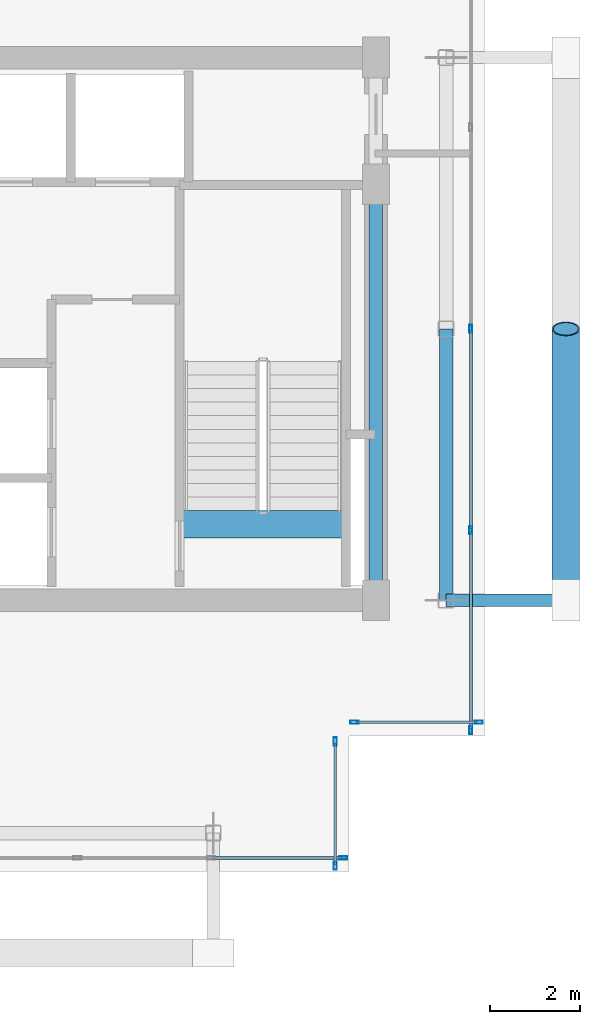
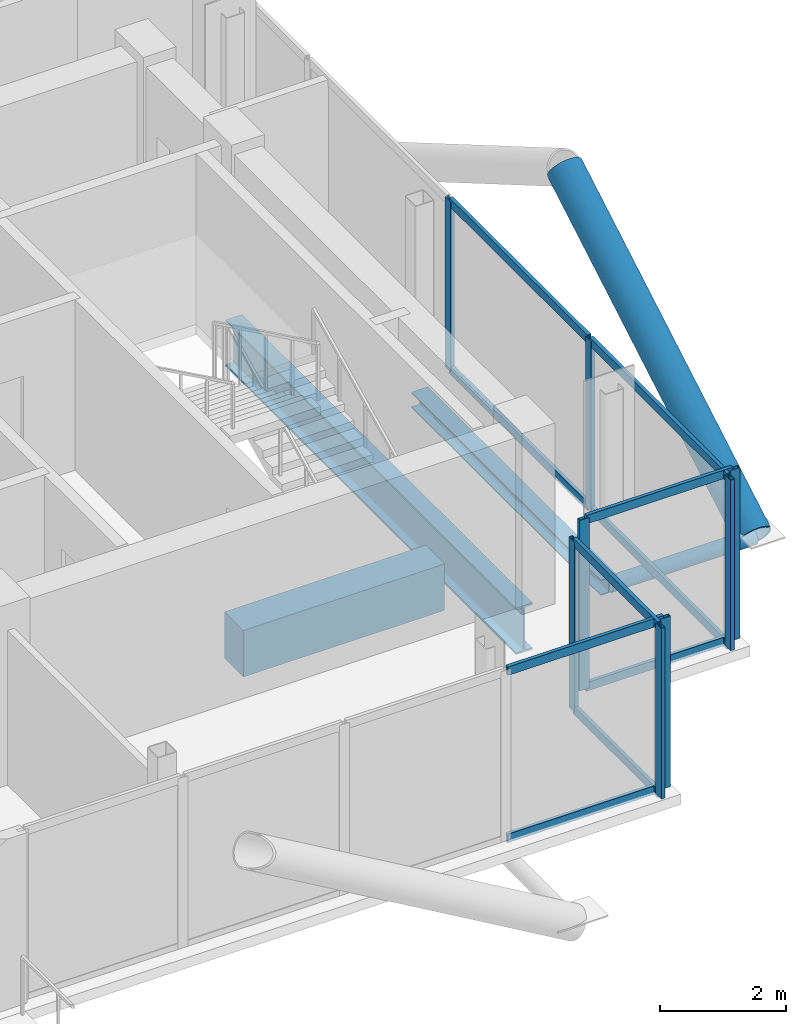
# One storey, part 11 of 18: 20 members, 3 beams, 4 elements without a shape of their own.
"""IFC4 building model written with IfcOpenShell, lengths in metres."""

from ifc_helpers import new_model, si_unit, direction, frame, origin, origin_2d, place, context, subcontext, project, spatial, rectangle, hollow_rectangle, hollow_circle, i_section, extrude, material, layer, layer_set, material_profile, profile_set, type_object, element, aggregate, save


model = new_model("IFC4")

# Units and contexts
model_context = context("Model", 3, precision=1e-05, world=origin(), true_north=direction((0.0, 1.0)))
body_context = subcontext(model_context, "Body", "Model", "MODEL_VIEW")
ifc_project = project(units=[si_unit("LENGTHUNIT", "METRE"), si_unit("AREAUNIT", "SQUARE_METRE"), si_unit("VOLUMEUNIT", "CUBIC_METRE"), si_unit("PLANEANGLEUNIT", "RADIAN"), si_unit("MASSUNIT", "GRAM", prefix="KILO"), si_unit("THERMODYNAMICTEMPERATUREUNIT", "KELVIN"), si_unit("POWERUNIT", "WATT")], contexts=[model_context])

# Site, building, storey
site_placement = place(None, origin())
site = spatial("IfcSite", under=ifc_project, at=site_placement, CompositionType="ELEMENT")
building_placement = place(site_placement, origin())
building = spatial("IfcBuilding", under=site, at=building_placement, Name="Svarakhadi Broadcast Tower", CompositionType="ELEMENT")
storey_placement = place(building_placement, frame((0.0, 0.0, 264.199951171875)))
storey = spatial("IfcBuildingStorey", under=building, at=storey_placement, Name="L66", CompositionType="ELEMENT", Elevation=264.199951171875)

# Curtain wall, members
ifc_material_1 = material(Name="Anodised Bronze Aluminium AA 6063-T6", Category="aluminium")
ifc_layer = layer(ifc_material_1, 0.179931640625)
ifc_layer_set = layer_set([ifc_layer], Name="Anodised Bronze Aluminium AA 6063-T6")
curtain_wall_type = type_object("IfcCurtainWallType", Name="CW_Sys_05", PredefinedType="NOTDEFINED", material=ifc_layer_set)
curtain_wall_1_placement = place(storey_placement, origin())
curtain_wall_1 = element("IfcCurtainWall", 1, at=curtain_wall_1_placement, inside=storey, type_object=curtain_wall_type, Name="L66 Unitised Facade Curtain Wall 13", PredefinedType="NOTDEFINED")
ifc_material_profile_1 = material_profile(ifc_material_1, hollow_rectangle(XDim=0.070068359375, YDim=0.179931640625, WallThickness=0.005615234375, at=origin_2d()), Name="ALU MULLION 180x70x6")
ifc_profile_set_1 = profile_set([ifc_material_profile_1], Name="Anodised Bronze Aluminium AA 6063-T6")
member_type_1 = type_object("IfcMemberType", Name="CW_Sys_05_Mul", PredefinedType="MULLION", material=ifc_profile_set_1)
member_1_placement = place(storey_placement, frame((35.699951171875, 12.0, 0.0), z_axis=(0.0, 0.0, 1.0), x_axis=(1.0, 0.0, 0.0)))
member_1 = element("IfcMember", 2, at=member_1_placement, type_object=member_type_1, Name="CW-05 mullion 3", PredefinedType="MULLION", context=body_context, shape_type="SweptSolid", body=[
    extrude(hollow_rectangle(XDim=0.070068359375, YDim=0.179931640625, WallThickness=0.005615234375, at=origin_2d()), origin(), (0.0, 0.0, 1.0), 3.300048828125),
])
member_2_placement = place(storey_placement, frame((35.699951171875, 7.544921875, 0.0), z_axis=(0.0, 0.0, 1.0), x_axis=(1.0, 0.0, 0.0)))
member_2 = element("IfcMember", 3, at=member_2_placement, type_object=member_type_1, Name="CW-05 mullion 4", PredefinedType="MULLION", context=body_context, shape_type="SweptSolid", body=[
    extrude(hollow_rectangle(XDim=0.070068359375, YDim=0.179931640625, WallThickness=0.005615234375, at=origin_2d()), origin(), (0.0, 0.0, 1.0), 3.300048828125),
])
member_3_placement = place(storey_placement, frame((35.699951171875, 3.125, 0.0), z_axis=(0.0, 0.0, 1.0), x_axis=(1.0, 0.0, 0.0)))
member_3 = element("IfcMember", 4, at=member_3_placement, type_object=member_type_1, Name="CW-05 mullion 5", PredefinedType="MULLION", context=body_context, shape_type="SweptSolid", body=[
    extrude(hollow_rectangle(XDim=0.070068359375, YDim=0.179931640625, WallThickness=0.005615234375, at=origin_2d()), origin(), (0.0, 0.0, 1.0), 3.300048828125),
])

curtain_wall_2_placement = place(storey_placement, origin())
curtain_wall_2 = element("IfcCurtainWall", 5, at=curtain_wall_2_placement, inside=storey, type_object=curtain_wall_type, Name="L66 Unitised Facade Curtain Wall 14", PredefinedType="NOTDEFINED")
member_4_placement = place(storey_placement, frame((35.875, 3.300048828125, 0.0), z_axis=(0.0, 0.0, 1.0), x_axis=(0.0, -1.0, 0.0)))
member_4 = element("IfcMember", 6, at=member_4_placement, type_object=member_type_1, Name="CW-05 mullion 1", PredefinedType="MULLION", context=body_context, shape_type="SweptSolid", body=[
    extrude(hollow_rectangle(XDim=0.070068359375, YDim=0.179931640625, WallThickness=0.005615234375, at=origin_2d()), origin(), (0.0, 0.0, 1.0), 3.300048828125),
])
member_5_placement = place(storey_placement, frame((33.125, 3.300048828125, 0.0), z_axis=(0.0, 0.0, 1.0), x_axis=(0.0, -1.0, 0.0)))
member_5 = element("IfcMember", 7, at=member_5_placement, type_object=member_type_1, Name="CW-05 mullion 2", PredefinedType="MULLION", context=body_context, shape_type="SweptSolid", body=[
    extrude(hollow_rectangle(XDim=0.070068359375, YDim=0.179931640625, WallThickness=0.005615234375, at=origin_2d()), origin(), (0.0, 0.0, 1.0), 3.300048828125),
])

curtain_wall_3_placement = place(storey_placement, origin())
curtain_wall_3 = element("IfcCurtainWall", 8, at=curtain_wall_3_placement, inside=storey, type_object=curtain_wall_type, Name="L66 Unitised Facade Curtain Wall 15", PredefinedType="NOTDEFINED")
member_6_placement = place(storey_placement, frame((32.699951171875, 2.875, 0.0), z_axis=(0.0, 0.0, 1.0), x_axis=(1.0, 0.0, 0.0)))
member_6 = element("IfcMember", 9, at=member_6_placement, type_object=member_type_1, Name="CW-05 mullion 1", PredefinedType="MULLION", context=body_context, shape_type="SweptSolid", body=[
    extrude(hollow_rectangle(XDim=0.070068359375, YDim=0.179931640625, WallThickness=0.005615234375, at=origin_2d()), origin(), (0.0, 0.0, 1.0), 3.300048828125),
])
member_7_placement = place(storey_placement, frame((32.699951171875, 0.125, 0.0), z_axis=(0.0, 0.0, 1.0), x_axis=(1.0, 0.0, 0.0)))
member_7 = element("IfcMember", 10, at=member_7_placement, type_object=member_type_1, Name="CW-05 mullion 2", PredefinedType="MULLION", context=body_context, shape_type="SweptSolid", body=[
    extrude(hollow_rectangle(XDim=0.070068359375, YDim=0.179931640625, WallThickness=0.005615234375, at=origin_2d()), origin(), (0.0, 0.0, 1.0), 3.300048828125),
])

# Curtain wall, member
curtain_wall_4_placement = place(storey_placement, origin())
curtain_wall_4 = element("IfcCurtainWall", 11, at=curtain_wall_4_placement, inside=storey, type_object=curtain_wall_type, Name="L66 South Curtain Wall 16", PredefinedType="NOTDEFINED")
member_8_placement = place(storey_placement, frame((32.875, 0.300048828125, 0.0), z_axis=(0.0, 0.0, 1.0), x_axis=(0.0, -1.0, 0.0)))
member_8 = element("IfcMember", 12, at=member_8_placement, type_object=member_type_1, Name="CW-05 mullion 1", PredefinedType="MULLION", context=body_context, shape_type="SweptSolid", body=[
    extrude(hollow_rectangle(XDim=0.070068359375, YDim=0.179931640625, WallThickness=0.005615234375, at=origin_2d()), origin(), (0.0, 0.0, 1.0), 3.300048828125),
])

# Member
ifc_material_profile_2 = material_profile(ifc_material_1, hollow_rectangle(XDim=0.06494140625, YDim=0.1650390625, WallThickness=0.0048828125, at=origin_2d()), Name="ALU TRANSOM 165x65x5")
ifc_profile_set_2 = profile_set([ifc_material_profile_2], Name="Anodised Bronze Aluminium AA 6063-T6")
member_type_2 = type_object("IfcMemberType", Name="CW_Sys_05_Trn", PredefinedType="USERDEFINED", material=ifc_profile_set_2)
member_9_placement = place(storey_placement, frame((35.699951171875, 11.965087890625, 0.032470703125), z_axis=(0.0, -1.0, 0.0), x_axis=(1.0, 0.0, 0.0)))
member_9 = element("IfcMember", 13, at=member_9_placement, type_object=member_type_2, Name="CW-05 transom 3.1", ObjectType="TRANSOM", PredefinedType="USERDEFINED", context=body_context, shape_type="SweptSolid", body=[
    extrude(hollow_rectangle(XDim=0.06494140625, YDim=0.1650390625, WallThickness=0.0048828125, at=origin_2d()), origin(), (0.0, 0.0, 1.0), 4.385009765625),
])

member_10_placement = place(storey_placement, frame((35.699951171875, 11.965087890625, 3.267578125), z_axis=(0.0, -1.0, 0.0), x_axis=(1.0, 0.0, 0.0)))
member_10 = element("IfcMember", 14, at=member_10_placement, type_object=member_type_2, Name="CW-05 transom 3.2", ObjectType="TRANSOM", PredefinedType="USERDEFINED", context=body_context, shape_type="SweptSolid", body=[
    extrude(hollow_rectangle(XDim=0.06494140625, YDim=0.1650390625, WallThickness=0.0048828125, at=origin_2d()), origin(), (0.0, 0.0, 1.0), 4.385009765625),
])

member_11_placement = place(storey_placement, frame((35.699951171875, 7.510009765625, 0.032470703125), z_axis=(0.0, -1.0, 0.0), x_axis=(1.0, 0.0, 0.0)))
member_11 = element("IfcMember", 15, at=member_11_placement, type_object=member_type_2, Name="CW-05 transom 4.1", ObjectType="TRANSOM", PredefinedType="USERDEFINED", context=body_context, shape_type="SweptSolid", body=[
    extrude(hollow_rectangle(XDim=0.06494140625, YDim=0.1650390625, WallThickness=0.0048828125, at=origin_2d()), origin(), (0.0, 0.0, 1.0), 4.35009765625),
])

member_12_placement = place(storey_placement, frame((35.699951171875, 7.510009765625, 3.267578125), z_axis=(0.0, -1.0, 0.0), x_axis=(1.0, 0.0, 0.0)))
member_12 = element("IfcMember", 16, at=member_12_placement, type_object=member_type_2, Name="CW-05 transom 4.2", ObjectType="TRANSOM", PredefinedType="USERDEFINED", context=body_context, shape_type="SweptSolid", body=[
    extrude(hollow_rectangle(XDim=0.06494140625, YDim=0.1650390625, WallThickness=0.0048828125, at=origin_2d()), origin(), (0.0, 0.0, 1.0), 4.35009765625),
])

aggregate(curtain_wall_1, [member_1, member_2, member_3, member_9, member_10, member_11, member_12])

member_13_placement = place(storey_placement, frame((35.840087890625, 3.300048828125, 0.032470703125), z_axis=(-1.0, 0.0, 0.0), x_axis=(0.0, -1.0, 0.0)))
member_13 = element("IfcMember", 17, at=member_13_placement, type_object=member_type_2, Name="CW-05 transom 1.1", ObjectType="TRANSOM", PredefinedType="USERDEFINED", context=body_context, shape_type="SweptSolid", body=[
    extrude(hollow_rectangle(XDim=0.06494140625, YDim=0.1650390625, WallThickness=0.0048828125, at=origin_2d()), origin(), (0.0, 0.0, 1.0), 2.68017578125),
])

member_14_placement = place(storey_placement, frame((35.840087890625, 3.300048828125, 3.267578125), z_axis=(-1.0, 0.0, 0.0), x_axis=(0.0, -1.0, 0.0)))
member_14 = element("IfcMember", 18, at=member_14_placement, type_object=member_type_2, Name="CW-05 transom 1.2", ObjectType="TRANSOM", PredefinedType="USERDEFINED", context=body_context, shape_type="SweptSolid", body=[
    extrude(hollow_rectangle(XDim=0.06494140625, YDim=0.1650390625, WallThickness=0.0048828125, at=origin_2d()), origin(), (0.0, 0.0, 1.0), 2.68017578125),
])

aggregate(curtain_wall_2, [member_4, member_5, member_13, member_14])

member_15_placement = place(storey_placement, frame((32.699951171875, 2.840087890625, 0.032470703125), z_axis=(0.0, -1.0, 0.0), x_axis=(1.0, 0.0, 0.0)))
member_15 = element("IfcMember", 19, at=member_15_placement, type_object=member_type_2, Name="CW-05 transom 1.1", ObjectType="TRANSOM", PredefinedType="USERDEFINED", context=body_context, shape_type="SweptSolid", body=[
    extrude(hollow_rectangle(XDim=0.06494140625, YDim=0.1650390625, WallThickness=0.0048828125, at=origin_2d()), origin(), (0.0, 0.0, 1.0), 2.68017578125),
])

member_16_placement = place(storey_placement, frame((32.699951171875, 2.840087890625, 3.267578125), z_axis=(0.0, -1.0, 0.0), x_axis=(1.0, 0.0, 0.0)))
member_16 = element("IfcMember", 20, at=member_16_placement, type_object=member_type_2, Name="CW-05 transom 1.2", ObjectType="TRANSOM", PredefinedType="USERDEFINED", context=body_context, shape_type="SweptSolid", body=[
    extrude(hollow_rectangle(XDim=0.06494140625, YDim=0.1650390625, WallThickness=0.0048828125, at=origin_2d()), origin(), (0.0, 0.0, 1.0), 2.68017578125),
])

aggregate(curtain_wall_3, [member_6, member_7, member_15, member_16])

member_17_placement = place(storey_placement, frame((32.840087890625, 0.300048828125, 0.032470703125), z_axis=(-1.0, 0.0, 0.0), x_axis=(0.0, -1.0, 0.0)))
member_17 = element("IfcMember", 21, at=member_17_placement, type_object=member_type_2, Name="CW-05 transom 1.1", ObjectType="TRANSOM", PredefinedType="USERDEFINED", context=body_context, shape_type="SweptSolid", body=[
    extrude(hollow_rectangle(XDim=0.06494140625, YDim=0.1650390625, WallThickness=0.0048828125, at=origin_2d()), origin(), (0.0, 0.0, 1.0), 2.85009765625),
])

member_18_placement = place(storey_placement, frame((32.840087890625, 0.300048828125, 3.267578125), z_axis=(-1.0, 0.0, 0.0), x_axis=(0.0, -1.0, 0.0)))
member_18 = element("IfcMember", 22, at=member_18_placement, type_object=member_type_2, Name="CW-05 transom 1.2", ObjectType="TRANSOM", PredefinedType="USERDEFINED", context=body_context, shape_type="SweptSolid", body=[
    extrude(hollow_rectangle(XDim=0.06494140625, YDim=0.1650390625, WallThickness=0.0048828125, at=origin_2d()), origin(), (0.0, 0.0, 1.0), 2.85009765625),
])

aggregate(curtain_wall_4, [member_8, member_17, member_18])

# Beam
ifc_material_2 = material(Name="Concrete C50/60 (IS 456 M60)", Category="concrete")
ifc_material_profile_3 = material_profile(ifc_material_2, rectangle(XDim=0.60009765625, YDim=0.89990234375, at=origin_2d()), Name="RC 600x900")
ifc_profile_set_3 = profile_set([ifc_material_profile_3], Name="Concrete C50/60 (IS 456 M60)")
beam_type_1 = type_object("IfcBeamType", Name="Coupling_RC600", PredefinedType="USERDEFINED", material=ifc_profile_set_3)
beam_1_placement = place(storey_placement, frame((29.260009765625, 7.679931640625, -0.449951171875), z_axis=(1.0, 0.0, 0.0), x_axis=(0.0, 1.0, 0.0)))
element("IfcBeam", 23, at=beam_1_placement, inside=storey, type_object=beam_type_1, Name="L66 Stair ST-02 Landing Throat Trimmer Beam CB-01", ObjectType="GIRDER", PredefinedType="USERDEFINED", context=body_context, shape_type="SweptSolid", body=[
    extrude(rectangle(XDim=0.60009765625, YDim=0.89990234375, at=origin_2d()), origin(), (0.0, 0.0, 1.0), 3.679931640625),
])

# Members
ifc_material_3 = material(Name="Steel S460ML (IS 2062 E450BR)", Category="steel")
ifc_material_profile_4 = material_profile(ifc_material_3, hollow_circle(Radius=0.304931640625, WallThickness=0.030029296875, at=origin_2d()), Name="CHS 610x30")
ifc_profile_set_4 = profile_set([ifc_material_profile_4], Name="Steel S460ML (IS 2062 E450BR)")
member_type_3 = type_object("IfcMemberType", Name="Exo_Brace_CHS610", PredefinedType="BRACE", material=ifc_profile_set_4)
member_19_placement = place(storey_placement, frame((37.800048828125, 6.0, -0.33642578125), z_axis=(0.0, 0.863778900898, 0.503871025524), x_axis=(-1.0, 0.0, 0.0)))
element("IfcMember", 24, at=member_19_placement, inside=storey, type_object=member_type_3, Name="L66 Exposed Bronze Exoskeleton Diagonal E02", PredefinedType="BRACE", context=body_context, shape_type="SweptSolid", body=[
    extrude(hollow_circle(Radius=0.304931640625, WallThickness=0.030029296875, at=origin_2d()), origin(), (0.0, 0.0, 1.0), 6.9462890625),
])
ifc_material_profile_5 = material_profile(ifc_material_3, hollow_circle(Radius=0.136474609375, WallThickness=0.012451171875, at=origin_2d()), Name="CHS 273x12.5")
ifc_profile_set_5 = profile_set([ifc_material_profile_5], Name="Steel S460ML (IS 2062 E450BR)")
member_type_4 = type_object("IfcMemberType", Name="Exo_Radial_Strut_Z3", PredefinedType="STRUT", material=ifc_profile_set_5)
member_20_placement = place(storey_placement, frame((37.800048828125, 6.0, -0.33642578125), z_axis=(-1.0, 0.0, 0.0), x_axis=(0.0, -1.0, 0.0)))
element("IfcMember", 25, at=member_20_placement, inside=storey, type_object=member_type_4, Name="L66 Exoskeleton Radial Tie Strut E05", PredefinedType="STRUT", context=body_context, shape_type="SweptSolid", body=[
    extrude(hollow_circle(Radius=0.136474609375, WallThickness=0.012451171875, at=origin_2d()), origin(), (0.0, 0.0, 1.0), 2.650146484375),
])

# Beams
ifc_material_4 = material(Name="Steel S355J2 (IS 2062 E350C)", Category="steel")
ifc_material_profile_6 = material_profile(ifc_material_4, i_section(OverallWidth=0.300048828125, OverallDepth=0.300048828125, WebThickness=0.010986328125, FlangeThickness=0.01904296875, FilletRadius=0.027099609375, at=origin_2d()), Name="WPB 300x300x117")
ifc_profile_set_6 = profile_set([ifc_material_profile_6], Name="Steel S355J2 (IS 2062 E350C)")
beam_type_2 = type_object("IfcBeamType", Name="Girder_WPB300", PredefinedType="USERDEFINED", material=ifc_profile_set_6)
beam_2_placement = place(storey_placement, frame((35.14990234375, 6.0, -0.349853515625), z_axis=(0.0, 1.0, 0.0), x_axis=(-1.0, 0.0, 0.0)))
element("IfcBeam", 26, at=beam_2_placement, inside=storey, type_object=beam_type_2, Name="L66 Primary N-S Girder G045", ObjectType="GIRDER", PredefinedType="USERDEFINED", context=body_context, shape_type="SweptSolid", body=[
    extrude(i_section(OverallWidth=0.300048828125, OverallDepth=0.300048828125, WebThickness=0.010986328125, FlangeThickness=0.01904296875, FilletRadius=0.027099609375, at=origin_2d()), origin(), (0.0, 0.0, 1.0), 6.0),
])
ifc_material_profile_7 = material_profile(ifc_material_3, i_section(OverallWidth=0.300048828125, OverallDepth=0.89990234375, WebThickness=0.0185546875, FlangeThickness=0.034912109375, FilletRadius=0.030029296875, at=origin_2d()), Name="WPB 900x300x291")
ifc_profile_set_7 = profile_set([ifc_material_profile_7], Name="Steel S460ML (IS 2062 E450BR)")
beam_type_3 = type_object("IfcBeamType", Name="Girder_WPB900", PredefinedType="USERDEFINED", material=ifc_profile_set_7)
beam_3_placement = place(storey_placement, frame((33.60009765625, 6.0, -0.64990234375), z_axis=(0.0, 1.0, 0.0), x_axis=(-1.0, 0.0, 0.0)))
element("IfcBeam", 27, at=beam_3_placement, inside=storey, type_object=beam_type_3, Name="L66 Primary N-S Girder G043", ObjectType="GIRDER", PredefinedType="USERDEFINED", context=body_context, shape_type="SweptSolid", body=[
    extrude(i_section(OverallWidth=0.300048828125, OverallDepth=0.89990234375, WebThickness=0.0185546875, FlangeThickness=0.034912109375, FilletRadius=0.030029296875, at=origin_2d()), origin(), (0.0, 0.0, 1.0), 9.199951171875),
])

save(model, "model.ifc")
